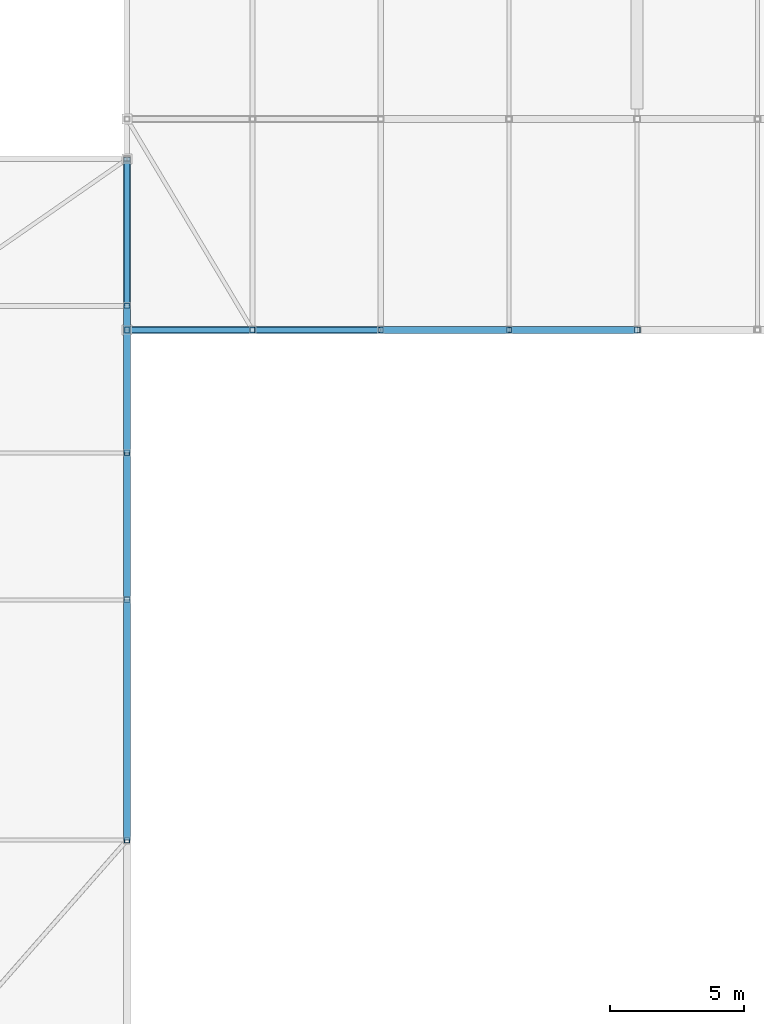
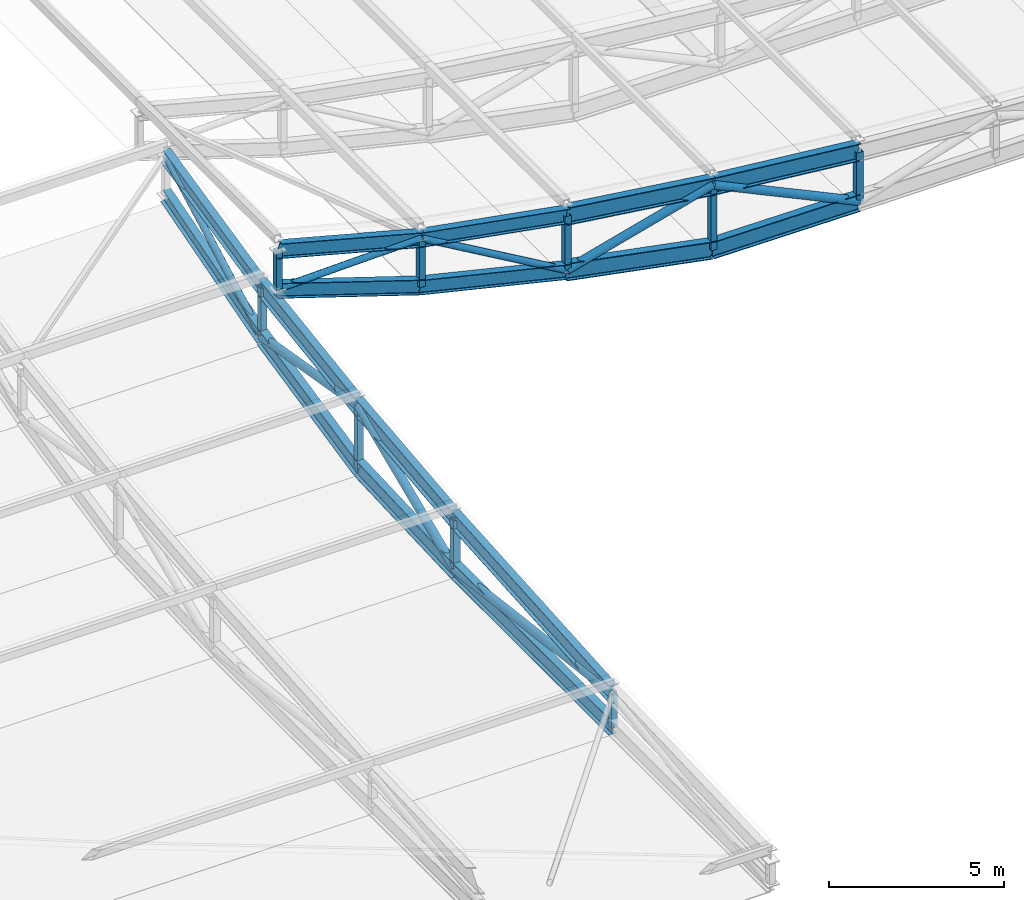
# One storey, part 45 of 114: 17 members, 16 beams.
"""IFC4 building model written with IfcOpenShell, lengths in metres."""

from ifc_helpers import new_model, si_unit, direction, frame, origin, origin_2d, place, context, subcontext, project, spatial, hollow_rectangle, hollow_circle, i_section, extrude, material, material_profile, profile_set, type_object, element, save


model = new_model("IFC4")

# Units and contexts
model_context = context("Model", 3, precision=1e-05, world=origin(), true_north=direction((0.0, 1.0)))
body_context = subcontext(model_context, "Body", "Model", "MODEL_VIEW")
ifc_project = project(units=[si_unit("LENGTHUNIT", "METRE"), si_unit("AREAUNIT", "SQUARE_METRE"), si_unit("VOLUMEUNIT", "CUBIC_METRE"), si_unit("PLANEANGLEUNIT", "RADIAN"), si_unit("MASSUNIT", "GRAM", prefix="KILO"), si_unit("THERMODYNAMICTEMPERATUREUNIT", "KELVIN"), si_unit("POWERUNIT", "WATT")], contexts=[model_context])

# Site, building, storey
site_placement = place(None, origin())
site = spatial("IfcSite", under=ifc_project, at=site_placement, CompositionType="ELEMENT")
building_placement = place(site_placement, origin())
building = spatial("IfcBuilding", under=site, at=building_placement, Name="Sindhuravela Promenade Stadium", CompositionType="ELEMENT")
storey_placement = place(building_placement, frame((0.0, 0.0, 24.0)))
storey = spatial("IfcBuildingStorey", under=building, at=storey_placement, Name="L05", CompositionType="ELEMENT", Elevation=24.0)

# Beams
ifc_material = material(Name="Steel E350 (IS 2062 E350BR)", Category="steel")
ifc_material_profile_1 = material_profile(ifc_material, i_section(OverallWidth=0.25, OverallDepth=0.5, WebThickness=0.010009765625, FlangeThickness=0.0146484375, FilletRadius=0.014892578125, at=origin_2d()), Name="ISWB 500")
ifc_profile_set_1 = profile_set([ifc_material_profile_1], Name="Steel E350 (IS 2062 E350BR)")
beam_type_1 = type_object("IfcBeamType", Name="ST-BM-WB500", PredefinedType="USERDEFINED", material=ifc_profile_set_1)
beam_1_placement = place(storey_placement, frame((170.39990234375, 37.10009765625, 2.889892578125), z_axis=(-0.9842948598662152, 0.0, 0.17653223173388988), x_axis=(0.0, -1.0, 0.0)))
element("IfcBeam", 1, at=beam_1_placement, inside=storey, type_object=beam_type_1, Name="Roof truss RT-E01 top chord 7", ObjectType="ROOF TRUSS", PredefinedType="USERDEFINED", context=body_context, shape_type="SweptSolid", body=[
    extrude(i_section(OverallWidth=0.25, OverallDepth=0.5, WebThickness=0.010009765625, FlangeThickness=0.0146484375, FilletRadius=0.014892578125, at=origin_2d()), origin(), (0.0, 0.0, 1.0), 4.87646484375),
])
beam_2_placement = place(storey_placement, frame((170.39990234375, 37.10009765625, 0.955322265625), z_axis=(-0.9727610703429832, 0.0, 0.23181005160513105), x_axis=(0.0, -1.0, 0.0)))
element("IfcBeam", 2, at=beam_2_placement, inside=storey, type_object=beam_type_1, Name="Roof truss RT-E01 bottom chord 7", ObjectType="ROOF TRUSS", PredefinedType="USERDEFINED", context=body_context, shape_type="SweptSolid", body=[
    extrude(i_section(OverallWidth=0.25, OverallDepth=0.5, WebThickness=0.010009765625, FlangeThickness=0.0146484375, FilletRadius=0.014892578125, at=origin_2d()), origin(), (0.0, 0.0, 1.0), 4.934326171875),
])
beam_3_placement = place(storey_placement, frame((165.60009765625, 37.10009765625, 3.750732421875), z_axis=(-0.9664454134987205, 0.0, 0.2568720746349965), x_axis=(0.0, -1.0, 0.0)))
element("IfcBeam", 3, at=beam_3_placement, inside=storey, type_object=beam_type_1, Name="Roof truss RT-E01 top chord 8", ObjectType="ROOF TRUSS", PredefinedType="USERDEFINED", context=body_context, shape_type="SweptSolid", body=[
    extrude(i_section(OverallWidth=0.25, OverallDepth=0.5, WebThickness=0.010009765625, FlangeThickness=0.0146484375, FilletRadius=0.014892578125, at=origin_2d()), origin(), (0.0, 0.0, 1.0), 4.86328125),
])
beam_4_placement = place(storey_placement, frame((165.60009765625, 37.10009765625, 2.09912109375), z_axis=(-0.951134224020653, 0.0, 0.3087777321903741), x_axis=(0.0, -1.0, 0.0)))
element("IfcBeam", 4, at=beam_4_placement, inside=storey, type_object=beam_type_1, Name="Roof truss RT-E01 bottom chord 8", ObjectType="ROOF TRUSS", PredefinedType="USERDEFINED", context=body_context, shape_type="SweptSolid", body=[
    extrude(i_section(OverallWidth=0.25, OverallDepth=0.5, WebThickness=0.010009765625, FlangeThickness=0.0146484375, FilletRadius=0.014892578125, at=origin_2d()), origin(), (0.0, 0.0, 1.0), 4.941650390625),
])
beam_5_placement = place(storey_placement, frame((160.89990234375, 38.0, 3.169189453125), z_axis=(0.0, 0.9758669805330386, 0.2183658313595103), x_axis=(-1.0, 0.0, 0.0)))
element("IfcBeam", 5, at=beam_5_placement, inside=storey, type_object=beam_type_1, Name="Roof truss RT-S09 top chord 5", ObjectType="ROOF TRUSS", PredefinedType="USERDEFINED", context=body_context, shape_type="SweptSolid", body=[
    extrude(i_section(OverallWidth=0.25, OverallDepth=0.5, WebThickness=0.010009765625, FlangeThickness=0.0146484375, FilletRadius=0.014892578125, at=origin_2d()), origin(), (0.0, 0.0, 1.0), 5.635986328125),
])
beam_6_placement = place(storey_placement, frame((160.89990234375, 38.0, 1.419189453125), z_axis=(0.0, 0.9599274278129861, 0.28024869907342015), x_axis=(-1.0, 0.0, 0.0)))
element("IfcBeam", 6, at=beam_6_placement, inside=storey, type_object=beam_type_1, Name="Roof truss RT-S09 bottom chord 5", ObjectType="ROOF TRUSS", PredefinedType="USERDEFINED", context=body_context, shape_type="SweptSolid", body=[
    extrude(i_section(OverallWidth=0.25, OverallDepth=0.5, WebThickness=0.010009765625, FlangeThickness=0.0146484375, FilletRadius=0.014892578125, at=origin_2d()), origin(), (0.0, 0.0, 1.0), 5.7294921875),
])
ifc_material_profile_2 = material_profile(ifc_material, i_section(OverallWidth=0.25, OverallDepth=0.60009765625, WebThickness=0.01171875, FlangeThickness=0.023681640625, FilletRadius=0.01708984375, at=origin_2d()), Name="ISWB 600")
ifc_profile_set_2 = profile_set([ifc_material_profile_2], Name="Steel E350 (IS 2062 E350BR)")
beam_type_2 = type_object("IfcBeamType", Name="ST-BM-WB600", PredefinedType="USERDEFINED", material=ifc_profile_set_2)
beam_7_placement = place(storey_placement, frame((180.0, 37.10009765625, 1.7578125), z_axis=(-0.9947943351162852, 0.0, 0.10190304617894301), x_axis=(0.0, -1.0, 0.0)))
element("IfcBeam", 7, at=beam_7_placement, inside=storey, type_object=beam_type_2, Name="Roof truss RT-E01 top chord 5", ObjectType="ROOF TRUSS", PredefinedType="USERDEFINED", context=body_context, shape_type="SweptSolid", body=[
    extrude(i_section(OverallWidth=0.25, OverallDepth=0.60009765625, WebThickness=0.01171875, FlangeThickness=0.023681640625, FilletRadius=0.01708984375, at=origin_2d()), origin(), (0.0, 0.0, 1.0), 4.8251953125),
])
beam_8_placement = place(storey_placement, frame((180.0, 37.10009765625, 0.0), z_axis=(-0.9999778033758007, 0.0, 0.006662788883690041), x_axis=(0.0, -1.0, 0.0)))
element("IfcBeam", 8, at=beam_8_placement, inside=storey, type_object=beam_type_2, Name="Roof truss RT-E01 bottom chord 5", ObjectType="ROOF TRUSS", PredefinedType="USERDEFINED", context=body_context, shape_type="SweptSolid", body=[
    extrude(i_section(OverallWidth=0.25, OverallDepth=0.60009765625, WebThickness=0.01171875, FlangeThickness=0.023681640625, FilletRadius=0.01708984375, at=origin_2d()), origin(), (0.0, 0.0, 1.0), 4.800048828125),
])
beam_9_placement = place(storey_placement, frame((175.199951171875, 37.10009765625, 2.24951171875), z_axis=(-0.9912177706556925, 0.0, 0.1322396730802035), x_axis=(0.0, -1.0, 0.0)))
element("IfcBeam", 9, at=beam_9_placement, inside=storey, type_object=beam_type_2, Name="Roof truss RT-E01 top chord 6", ObjectType="ROOF TRUSS", PredefinedType="USERDEFINED", context=body_context, shape_type="SweptSolid", body=[
    extrude(i_section(OverallWidth=0.25, OverallDepth=0.60009765625, WebThickness=0.01171875, FlangeThickness=0.023681640625, FilletRadius=0.01708984375, at=origin_2d()), origin(), (0.0, 0.0, 1.0), 4.842529296875),
])
beam_10_placement = place(storey_placement, frame((175.199951171875, 37.10009765625, 0.031982421875), z_axis=(-0.9819968269215247, 0.0, 0.18889741108881575), x_axis=(0.0, -1.0, 0.0)))
element("IfcBeam", 10, at=beam_10_placement, inside=storey, type_object=beam_type_2, Name="Roof truss RT-E01 bottom chord 6", ObjectType="ROOF TRUSS", PredefinedType="USERDEFINED", context=body_context, shape_type="SweptSolid", body=[
    extrude(i_section(OverallWidth=0.25, OverallDepth=0.60009765625, WebThickness=0.01171875, FlangeThickness=0.023681640625, FilletRadius=0.01708984375, at=origin_2d()), origin(), (0.0, 0.0, 1.0), 4.887939453125),
])
beam_11_placement = place(storey_placement, frame((160.89990234375, 18.0, 1.127197265625), z_axis=(0.0, 0.9975125305940163, 0.07048937017679613), x_axis=(-1.0, 0.0, 0.0)))
element("IfcBeam", 11, at=beam_11_placement, inside=storey, type_object=beam_type_2, Name="Roof truss RT-S09 top chord 2", ObjectType="ROOF TRUSS", PredefinedType="USERDEFINED", context=body_context, shape_type="SweptSolid", body=[
    extrude(i_section(OverallWidth=0.25, OverallDepth=0.60009765625, WebThickness=0.01171875, FlangeThickness=0.023681640625, FilletRadius=0.01708984375, at=origin_2d()), origin(), (0.0, 0.0, 1.0), 9.0224609375),
])
beam_12_placement = place(storey_placement, frame((160.89990234375, 18.0, 0.0), z_axis=(0.0, 1.0, 0.0), x_axis=(-1.0, 0.0, 0.0)))
element("IfcBeam", 12, at=beam_12_placement, inside=storey, type_object=beam_type_2, Name="Roof truss RT-S09 bottom chord 2", ObjectType="ROOF TRUSS", PredefinedType="USERDEFINED", context=body_context, shape_type="SweptSolid", body=[
    extrude(i_section(OverallWidth=0.25, OverallDepth=0.60009765625, WebThickness=0.01171875, FlangeThickness=0.023681640625, FilletRadius=0.01708984375, at=origin_2d()), origin(), (0.0, 0.0, 1.0), 9.0),
])
beam_13_placement = place(storey_placement, frame((160.89990234375, 27.0, 1.76318359375), z_axis=(0.0, 0.9943078180575428, 0.1065455909441987), x_axis=(-1.0, 0.0, 0.0)))
element("IfcBeam", 13, at=beam_13_placement, inside=storey, type_object=beam_type_2, Name="Roof truss RT-S09 top chord 3", ObjectType="ROOF TRUSS", PredefinedType="USERDEFINED", context=body_context, shape_type="SweptSolid", body=[
    extrude(i_section(OverallWidth=0.25, OverallDepth=0.60009765625, WebThickness=0.01171875, FlangeThickness=0.023681640625, FilletRadius=0.01708984375, at=origin_2d()), origin(), (0.0, 0.0, 1.0), 5.531494140625),
])
beam_14_placement = place(storey_placement, frame((160.89990234375, 27.0, 0.0), z_axis=(0.0, 0.9991453279387894, 0.04133538022189949), x_axis=(-1.0, 0.0, 0.0)))
element("IfcBeam", 14, at=beam_14_placement, inside=storey, type_object=beam_type_2, Name="Roof truss RT-S09 bottom chord 3", ObjectType="ROOF TRUSS", PredefinedType="USERDEFINED", context=body_context, shape_type="SweptSolid", body=[
    extrude(i_section(OverallWidth=0.25, OverallDepth=0.60009765625, WebThickness=0.01171875, FlangeThickness=0.023681640625, FilletRadius=0.01708984375, at=origin_2d()), origin(), (0.0, 0.0, 1.0), 5.504638671875),
])
beam_15_placement = place(storey_placement, frame((160.89990234375, 32.5, 2.3525390625), z_axis=(0.0, 0.9891555530237203, 0.14687168523012892), x_axis=(-1.0, 0.0, 0.0)))
element("IfcBeam", 15, at=beam_15_placement, inside=storey, type_object=beam_type_2, Name="Roof truss RT-S09 top chord 4", ObjectType="ROOF TRUSS", PredefinedType="USERDEFINED", context=body_context, shape_type="SweptSolid", body=[
    extrude(i_section(OverallWidth=0.25, OverallDepth=0.60009765625, WebThickness=0.01171875, FlangeThickness=0.023681640625, FilletRadius=0.01708984375, at=origin_2d()), origin(), (0.0, 0.0, 1.0), 5.560302734375),
])
beam_16_placement = place(storey_placement, frame((160.89990234375, 32.5, 0.2275390625), z_axis=(0.0, 0.9773237385626684, 0.21175058451368894), x_axis=(-1.0, 0.0, 0.0)))
element("IfcBeam", 16, at=beam_16_placement, inside=storey, type_object=beam_type_2, Name="Roof truss RT-S09 bottom chord 4", ObjectType="ROOF TRUSS", PredefinedType="USERDEFINED", context=body_context, shape_type="SweptSolid", body=[
    extrude(i_section(OverallWidth=0.25, OverallDepth=0.60009765625, WebThickness=0.01171875, FlangeThickness=0.023681640625, FilletRadius=0.01708984375, at=origin_2d()), origin(), (0.0, 0.0, 1.0), 5.627685546875),
])

# Members
ifc_material_profile_3 = material_profile(ifc_material, hollow_circle(Radius=0.109619140625, WallThickness=0.010009765625, at=origin_2d()), Name="CHS 219.1x10")
ifc_profile_set_3 = profile_set([ifc_material_profile_3], Name="Steel E350 (IS 2062 E350BR)")
member_type_1 = type_object("IfcMemberType", Name="ST-MB-CHS219", PredefinedType="BRACE", material=ifc_profile_set_3)
member_1_placement = place(storey_placement, frame((170.39990234375, 37.10009765625, 0.955322265625), z_axis=(-0.8641294101630913, 0.0, 0.5032696717379143), x_axis=(0.0, -1.0, 0.0)))
element("IfcMember", 17, at=member_1_placement, inside=storey, type_object=member_type_1, Name="Roof truss RT-E01 diagonal web 7", PredefinedType="BRACE", context=body_context, shape_type="SweptSolid", body=[
    extrude(hollow_circle(Radius=0.109619140625, WallThickness=0.010009765625, at=origin_2d()), origin(), (0.0, 0.0, 1.0), 5.554443359375),
])
member_2_placement = place(storey_placement, frame((165.60009765625, 37.10009765625, 3.750732421875), z_axis=(-0.9996423981548164, 0.0, -0.02674090146736601), x_axis=(0.0, -1.0, 0.0)))
element("IfcMember", 18, at=member_2_placement, inside=storey, type_object=member_type_1, Name="Roof truss RT-E01 diagonal web 8", PredefinedType="BRACE", context=body_context, shape_type="SweptSolid", body=[
    extrude(hollow_circle(Radius=0.109619140625, WallThickness=0.010009765625, at=origin_2d()), origin(), (0.0, 0.0, 1.0), 4.701904296875),
])
member_3_placement = place(storey_placement, frame((160.89990234375, 38.0, 1.419189453125), z_axis=(0.0, 0.8791884339384995, 0.47647423605979855), x_axis=(-1.0, 0.0, 0.0)))
element("IfcMember", 19, at=member_3_placement, inside=storey, type_object=member_type_1, Name="Roof truss RT-S09 diagonal web 5", PredefinedType="BRACE", context=body_context, shape_type="SweptSolid", body=[
    extrude(hollow_circle(Radius=0.109619140625, WallThickness=0.010009765625, at=origin_2d()), origin(), (0.0, 0.0, 1.0), 6.255859375),
])
ifc_material_profile_4 = material_profile(ifc_material, hollow_circle(Radius=0.136474609375, WallThickness=0.010009765625, at=origin_2d()), Name="CHS 273.0x10")
ifc_profile_set_4 = profile_set([ifc_material_profile_4], Name="Steel E350 (IS 2062 E350BR)")
member_type_2 = type_object("IfcMemberType", Name="ST-MB-CHS273", PredefinedType="BRACE", material=ifc_profile_set_4)
member_4_placement = place(storey_placement, frame((180.0, 37.10009765625, 0.0), z_axis=(-0.9054959907272458, 0.0, 0.4243548170775059), x_axis=(0.0, -1.0, 0.0)))
element("IfcMember", 20, at=member_4_placement, inside=storey, type_object=member_type_2, Name="Roof truss RT-E01 diagonal web 5", PredefinedType="BRACE", context=body_context, shape_type="SweptSolid", body=[
    extrude(hollow_circle(Radius=0.136474609375, WallThickness=0.010009765625, at=origin_2d()), origin(), (0.0, 0.0, 1.0), 5.301025390625),
])
member_5_placement = place(storey_placement, frame((175.199951171875, 37.10009765625, 2.24951171875), z_axis=(-0.9655213389510635, 0.0, -0.26032392135596294), x_axis=(0.0, -1.0, 0.0)))
element("IfcMember", 21, at=member_5_placement, inside=storey, type_object=member_type_2, Name="Roof truss RT-E01 diagonal web 6", PredefinedType="BRACE", context=body_context, shape_type="SweptSolid", body=[
    extrude(hollow_circle(Radius=0.136474609375, WallThickness=0.010009765625, at=origin_2d()), origin(), (0.0, 0.0, 1.0), 4.971435546875),
])
member_6_placement = place(storey_placement, frame((160.89990234375, 18.0, 1.127197265625), z_axis=(0.0, 0.9922480329009012, -0.12427325216752011), x_axis=(-1.0, 0.0, 0.0)))
element("IfcMember", 22, at=member_6_placement, inside=storey, type_object=member_type_2, Name="Roof truss RT-S09 diagonal web 2", PredefinedType="BRACE", context=body_context, shape_type="SweptSolid", body=[
    extrude(hollow_circle(Radius=0.136474609375, WallThickness=0.010009765625, at=origin_2d()), origin(), (0.0, 0.0, 1.0), 9.0703125),
])
member_7_placement = place(storey_placement, frame((160.89990234375, 27.0, 0.0), z_axis=(0.0, 0.9194234507496676, 0.3932690150667524), x_axis=(-1.0, 0.0, 0.0)))
element("IfcMember", 23, at=member_7_placement, inside=storey, type_object=member_type_2, Name="Roof truss RT-S09 diagonal web 3", PredefinedType="BRACE", context=body_context, shape_type="SweptSolid", body=[
    extrude(hollow_circle(Radius=0.136474609375, WallThickness=0.010009765625, at=origin_2d()), origin(), (0.0, 0.0, 1.0), 5.98193359375),
])
member_8_placement = place(storey_placement, frame((160.89990234375, 32.5, 2.3525390625), z_axis=(0.0, 0.9859046851385784, -0.1673079550463772), x_axis=(-1.0, 0.0, 0.0)))
element("IfcMember", 24, at=member_8_placement, inside=storey, type_object=member_type_2, Name="Roof truss RT-S09 diagonal web 4", PredefinedType="BRACE", context=body_context, shape_type="SweptSolid", body=[
    extrude(hollow_circle(Radius=0.136474609375, WallThickness=0.010009765625, at=origin_2d()), origin(), (0.0, 0.0, 1.0), 5.57861328125),
])
ifc_material_profile_5 = material_profile(ifc_material, hollow_rectangle(XDim=0.199951171875, YDim=0.199951171875, WallThickness=0.010009765625, at=origin_2d()), Name="SHS 200x200x10")
ifc_profile_set_5 = profile_set([ifc_material_profile_5], Name="Steel E350 (IS 2062 E350BR)")
member_type_3 = type_object("IfcMemberType", Name="ST-MB-SHS200", PredefinedType="POST", material=ifc_profile_set_5)
member_9_placement = place(storey_placement, frame((175.199951171875, 37.10009765625, 0.031982421875), z_axis=(0.0, 0.0, 1.0), x_axis=(1.0, 0.0, 0.0)))
element("IfcMember", 25, at=member_9_placement, inside=storey, type_object=member_type_3, Name="Roof truss RT-E01 vertical post 6", PredefinedType="POST", context=body_context, shape_type="SweptSolid", body=[
    extrude(hollow_rectangle(XDim=0.199951171875, YDim=0.199951171875, WallThickness=0.010009765625, at=origin_2d()), origin(), (0.0, 0.0, 1.0), 2.217529296875),
])
member_10_placement = place(storey_placement, frame((170.39990234375, 37.10009765625, 0.955322265625), z_axis=(0.0, 0.0, 1.0), x_axis=(1.0, 0.0, 0.0)))
element("IfcMember", 26, at=member_10_placement, inside=storey, type_object=member_type_3, Name="Roof truss RT-E01 vertical post 7", PredefinedType="POST", context=body_context, shape_type="SweptSolid", body=[
    extrude(hollow_rectangle(XDim=0.199951171875, YDim=0.199951171875, WallThickness=0.010009765625, at=origin_2d()), origin(), (0.0, 0.0, 1.0), 1.9345703125),
])
member_11_placement = place(storey_placement, frame((165.60009765625, 37.10009765625, 2.09912109375), z_axis=(0.0, 0.0, 1.0), x_axis=(1.0, 0.0, 0.0)))
element("IfcMember", 27, at=member_11_placement, inside=storey, type_object=member_type_3, Name="Roof truss RT-E01 vertical post 8", PredefinedType="POST", context=body_context, shape_type="SweptSolid", body=[
    extrude(hollow_rectangle(XDim=0.199951171875, YDim=0.199951171875, WallThickness=0.010009765625, at=origin_2d()), origin(), (0.0, 0.0, 1.0), 1.651611328125),
])
member_12_placement = place(storey_placement, frame((160.89990234375, 37.10009765625, 3.625), z_axis=(0.0, 0.0, 1.0), x_axis=(1.0, 0.0, 0.0)))
element("IfcMember", 28, at=member_12_placement, inside=storey, type_object=member_type_3, Name="Roof truss RT-E01 vertical post 9", PredefinedType="POST", context=body_context, shape_type="SweptSolid", body=[
    extrude(hollow_rectangle(XDim=0.199951171875, YDim=0.199951171875, WallThickness=0.010009765625, at=origin_2d()), origin(), (0.0, 0.0, 1.0), 1.375),
])
member_13_placement = place(storey_placement, frame((160.89990234375, 18.0, 0.0), z_axis=(0.0, 0.0, 1.0), x_axis=(1.0, 0.0, 0.0)))
element("IfcMember", 29, at=member_13_placement, inside=storey, type_object=member_type_3, Name="Roof truss RT-S09 vertical post 2", PredefinedType="POST", context=body_context, shape_type="SweptSolid", body=[
    extrude(hollow_rectangle(XDim=0.199951171875, YDim=0.199951171875, WallThickness=0.010009765625, at=origin_2d()), origin(), (0.0, 0.0, 1.0), 1.127197265625),
])
member_14_placement = place(storey_placement, frame((160.89990234375, 32.5, 0.2275390625), z_axis=(0.0, 0.0, 1.0), x_axis=(1.0, 0.0, 0.0)))
element("IfcMember", 30, at=member_14_placement, inside=storey, type_object=member_type_3, Name="Roof truss RT-S09 vertical post 4", PredefinedType="POST", context=body_context, shape_type="SweptSolid", body=[
    extrude(hollow_rectangle(XDim=0.199951171875, YDim=0.199951171875, WallThickness=0.010009765625, at=origin_2d()), origin(), (0.0, 0.0, 1.0), 2.125),
])
member_15_placement = place(storey_placement, frame((160.89990234375, 38.0, 1.419189453125), z_axis=(0.0, 0.0, 1.0), x_axis=(1.0, 0.0, 0.0)))
element("IfcMember", 31, at=member_15_placement, inside=storey, type_object=member_type_3, Name="Roof truss RT-S09 vertical post 5", PredefinedType="POST", context=body_context, shape_type="SweptSolid", body=[
    extrude(hollow_rectangle(XDim=0.199951171875, YDim=0.199951171875, WallThickness=0.010009765625, at=origin_2d()), origin(), (0.0, 0.0, 1.0), 1.75),
])
ifc_material_profile_6 = material_profile(ifc_material, hollow_rectangle(XDim=0.219970703125, YDim=0.219970703125, WallThickness=0.011962890625, at=origin_2d()), Name="SHS 220x220x12")
ifc_profile_set_6 = profile_set([ifc_material_profile_6], Name="Steel E350 (IS 2062 E350BR)")
member_type_4 = type_object("IfcMemberType", Name="ST-MB-SHS220", PredefinedType="POST", material=ifc_profile_set_6)
member_16_placement = place(storey_placement, frame((180.0, 37.10009765625, 0.0), z_axis=(0.0, 0.0, 1.0), x_axis=(1.0, 0.0, 0.0)))
element("IfcMember", 32, at=member_16_placement, inside=storey, type_object=member_type_4, Name="Roof truss RT-E01 vertical post 5", PredefinedType="POST", context=body_context, shape_type="SweptSolid", body=[
    extrude(hollow_rectangle(XDim=0.219970703125, YDim=0.219970703125, WallThickness=0.011962890625, at=origin_2d()), origin(), (0.0, 0.0, 1.0), 1.7578125),
])
member_17_placement = place(storey_placement, frame((160.89990234375, 27.0, 0.0), z_axis=(0.0, 0.0, 1.0), x_axis=(1.0, 0.0, 0.0)))
element("IfcMember", 33, at=member_17_placement, inside=storey, type_object=member_type_4, Name="Roof truss RT-S09 vertical post 3", PredefinedType="POST", context=body_context, shape_type="SweptSolid", body=[
    extrude(hollow_rectangle(XDim=0.219970703125, YDim=0.219970703125, WallThickness=0.011962890625, at=origin_2d()), origin(), (0.0, 0.0, 1.0), 1.76318359375),
])

save(model, "model.ifc")
